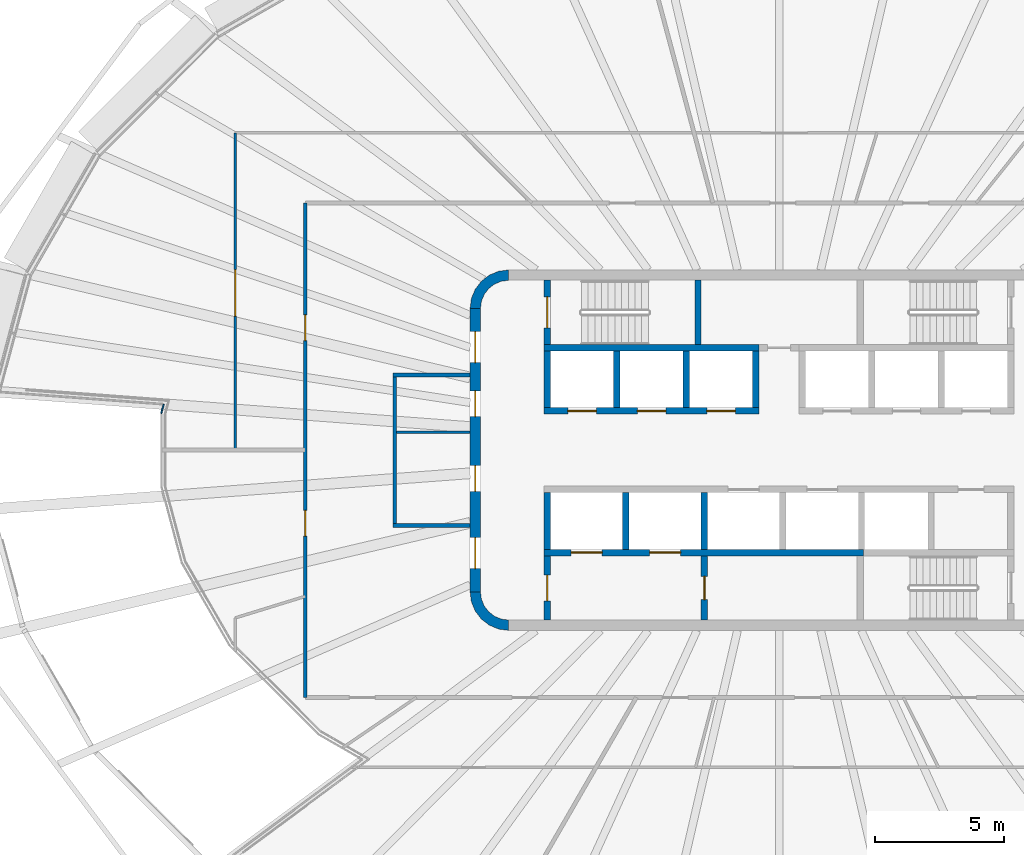
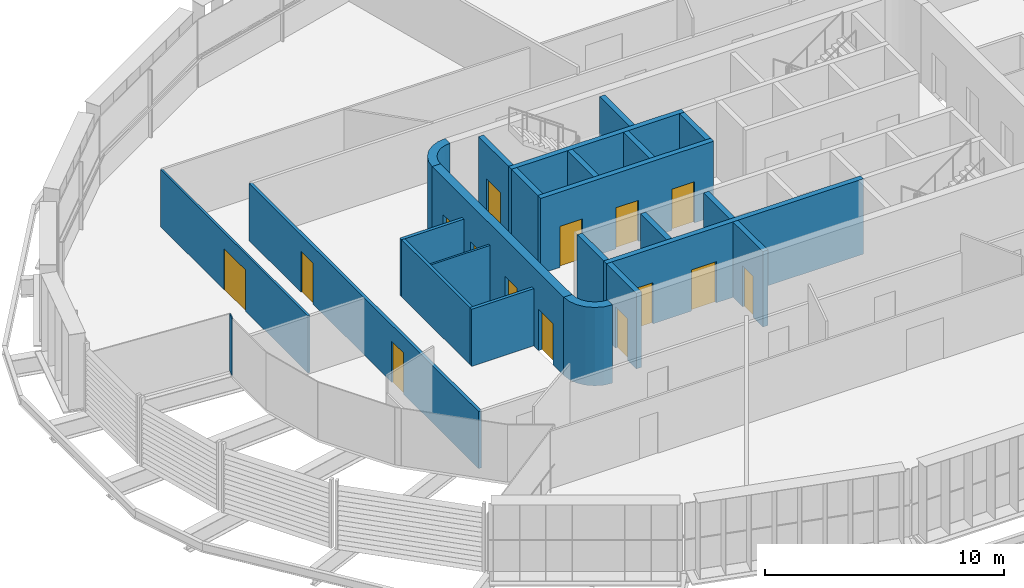
# One storey, part 10 of 19: 24 walls, 15 doors, 15 openings.
"""IFC4 building model written with IfcOpenShell, lengths in metres."""

import ifcopenshell
import ifcopenshell.guid

model = None  # the IFC model being written
_history = None  # IfcOwnerHistory: only IFC2X3 demands one
_inside = {}  # id of a spatial element -> (the spatial element, [elements in it])
_under = {}  # id of a project, library or spatial element -> (it, [spatial elements below it])
_declared = {}  # id of a project -> (the project, [libraries it declares])
_typed = {}  # id of a type object -> (the type object, [elements of that type])
_made_of = {}  # id of a material, layer set ... -> (it, [elements and type objects made of it])


def new_model(schema):
    """Start an empty IFC model of exactly this schema.

    Asked for "IFC4X3", IfcOpenShell would pick the latest addendum, in which some entities
    have other attributes; the version numbers below select the first issue.
    IFC2X3 requires an IfcOwnerHistory on every rooted entity: one is made here for all.
    """
    global model, _history
    if schema == "IFC4X3":
        model = ifcopenshell.file(schema_version=(4, 3, 0, 0))
    else:
        model = ifcopenshell.file(schema=schema)
    _inside.clear()
    _under.clear()
    _declared.clear()
    _typed.clear()
    _made_of.clear()
    _history = None
    if model.schema == "IFC2X3":
        org = make("IfcOrganization", Name="unknown")
        user = make(
            "IfcPersonAndOrganization",
            ThePerson=make("IfcPerson", FamilyName="unknown"),
            TheOrganization=org,
        )
        app = make(
            "IfcApplication",
            ApplicationDeveloper=org,
            Version="unknown",
            ApplicationFullName="unknown",
            ApplicationIdentifier="unknown",
        )
        _history = make(
            "IfcOwnerHistory",
            OwningUser=user,
            OwningApplication=app,
            ChangeAction="ADDED",
            CreationDate=0,
        )
    return model


def make(cls, **values):
    """One entity of the class cls with the attributes given. An attribute that is None is left unset."""
    return model.create_entity(
        cls, **{name: value for name, value in values.items() if value is not None}
    )


def rooted(cls, **values):
    """An entity with a GlobalId (a new one), such as an element, a storey or a relation."""
    return make(cls, GlobalId=ifcopenshell.guid.new(), OwnerHistory=_history, **values)


def si_unit(unit_type, name, prefix=None):
    """IfcSIUnit, for example si_unit("LENGTHUNIT", "METRE", prefix="MILLI")."""
    return make("IfcSIUnit", UnitType=unit_type, Prefix=prefix, Name=name)


def assignment(units):
    """IfcUnitAssignment: the units of a project."""
    return None if units is None else make("IfcUnitAssignment", Units=units)


def point(xyz):
    """IfcCartesianPoint."""
    return None if xyz is None else make("IfcCartesianPoint", Coordinates=xyz)


def direction(xyz):
    """IfcDirection."""
    return None if xyz is None else make("IfcDirection", DirectionRatios=xyz)


def frame(location, z_axis=None, x_axis=None):
    """IfcAxis2Placement3D, a coordinate frame: its origin and axes. An axis left out is left unset."""
    return make(
        "IfcAxis2Placement3D",
        Location=point(location),
        Axis=direction(z_axis),
        RefDirection=direction(x_axis),
    )


def frame_2d(location, x_axis=None):
    """IfcAxis2Placement2D, a coordinate frame in the plane: its origin and x axis."""
    return make(
        "IfcAxis2Placement2D", Location=point(location), RefDirection=direction(x_axis)
    )


def origin():
    """The frame at (0, 0, 0) with its axes left unset."""
    return frame((0.0, 0.0, 0.0))


def place(relative_to, where):
    """IfcLocalPlacement: puts the frame where relative to a parent placement (None: the world)."""
    return make(
        "IfcLocalPlacement", PlacementRelTo=relative_to, RelativePlacement=where
    )


def context(
    kind, dimensions, precision=None, world=None, true_north=None, identifier=None
):
    """IfcGeometricRepresentationContext, for example the 3D "Model" context."""
    return make(
        "IfcGeometricRepresentationContext",
        ContextIdentifier=identifier,
        ContextType=kind,
        CoordinateSpaceDimension=dimensions,
        Precision=precision,
        WorldCoordinateSystem=world,
        TrueNorth=true_north,
    )


def subcontext(parent, identifier, kind, view, scale=None):
    """IfcGeometricRepresentationSubContext, for example "Body" below "Model"."""
    return make(
        "IfcGeometricRepresentationSubContext",
        ContextIdentifier=identifier,
        ContextType=kind,
        ParentContext=parent,
        TargetScale=scale,
        TargetView=view,
    )


def project(units=None, contexts=None):
    """IfcProject with its units and contexts."""
    return rooted(
        "IfcProject",
        Name="project",
        RepresentationContexts=contexts,
        UnitsInContext=assignment(units),
    )


def spatial(cls, under=None, at=None, **own):
    """A site, building, storey or space (cls), placed at a placement, below another one or the project."""
    s = rooted(cls, ObjectPlacement=at, **own)
    if under is not None:
        _under.setdefault(under.id(), (under, []))[1].append(s)
    return s


def polyline(points):
    """IfcPolyline through the points."""
    return make("IfcPolyline", Points=[point(p) for p in points])


def profile(cls, at=None, kind="AREA", **sizes):
    """A parametric profile (cls). Its sizes go by their IFC names, for example OverallWidth=200.0."""
    return make(cls, ProfileType=kind, Position=at, **sizes)


def rectangle(**sizes):
    """IfcRectangleProfileDef."""
    return profile("IfcRectangleProfileDef", **sizes)


def outline(outer, holes=None, kind="AREA"):
    """IfcArbitraryClosedProfileDef: a profile drawn as a closed curve; with holes, ...WithVoids."""
    if holes is None:
        return make("IfcArbitraryClosedProfileDef", ProfileType=kind, OuterCurve=outer)
    return make(
        "IfcArbitraryProfileDefWithVoids",
        ProfileType=kind,
        OuterCurve=outer,
        InnerCurves=holes,
    )


def extrude(swept, where, along, depth):
    """IfcExtrudedAreaSolid: the profile swept, set in the frame where, extruded along a direction by depth."""
    return make(
        "IfcExtrudedAreaSolid",
        SweptArea=swept,
        Position=where,
        ExtrudedDirection=direction(along),
        Depth=depth,
    )


def shape(context_of_items, identifier, shape_type, items):
    """IfcShapeRepresentation: the items that make up one representation, for example the "Body"."""
    return make(
        "IfcShapeRepresentation",
        ContextOfItems=context_of_items,
        RepresentationIdentifier=identifier,
        RepresentationType=shape_type,
        Items=items,
    )


def material(Name=None, Category=None):
    """IfcMaterial."""
    return make("IfcMaterial", Name=Name, Category=Category)


def layer(
    of_material, thickness, ventilated=None, Name=None, Category=None, Priority=None
):
    """IfcMaterialLayer: one layer of a wall or slab, of a material (None: an air gap)."""
    return make(
        "IfcMaterialLayer",
        Material=of_material,
        LayerThickness=thickness,
        IsVentilated=ventilated,
        Name=Name,
        Category=Category,
        Priority=Priority,
    )


def layer_set(layers, Name=None):
    """IfcMaterialLayerSet."""
    return make("IfcMaterialLayerSet", MaterialLayers=layers, LayerSetName=Name)


def made_of(thing, what):
    """Note that an element or type object is made of a material, layer set ...; save() writes the relation."""
    if what is not None:
        _made_of.setdefault(what.id(), (what, []))[1].append(thing)
    return thing


def type_object(cls, material=None, **own):
    """A type object (cls), such as IfcWallType, which elements share."""
    return made_of(rooted(cls, **own), material)


def element(
    cls,
    number,
    at=None,
    inside=None,
    cuts=None,
    type_object=None,
    material=None,
    context=None,
    identifier="Body",
    shape_type=None,
    held_by="IfcProductDefinitionShape",
    body=None,
    shapes=None,
    **own,
):
    """One element of the class cls, such as IfcWall. Its Tag is "e" and its number.

    at: its placement. inside: the storey or other place that contains it. cuts: it is an
    opening in that element (IfcRelVoidsElement). A single representation is given by context,
    identifier, shape_type and body (its items); several are given by shapes. held_by: the class
    of the entity that holds the representations. save() writes the other relations.
    """
    e = rooted(cls, Tag="e%d" % number, ObjectPlacement=at, **own)
    if body is not None:
        shapes = [shape(context, identifier, shape_type, body)]
    if shapes is not None:
        e.Representation = make(held_by, Representations=shapes)
    if inside is not None:
        _inside.setdefault(inside.id(), (inside, []))[1].append(e)
    if cuts is not None:
        rooted(
            "IfcRelVoidsElement", RelatingBuildingElement=cuts, RelatedOpeningElement=e
        )
    if type_object is not None:
        _typed.setdefault(type_object.id(), (type_object, []))[1].append(e)
    return made_of(e, material)


def fill(opening, filler):
    """IfcRelFillsElement: the door or window that sits in an opening."""
    return rooted(
        "IfcRelFillsElement",
        RelatingOpeningElement=opening,
        RelatedBuildingElement=filler,
    )


def aggregate(whole, parts):
    """IfcRelAggregates: a whole, such as a stair, and the parts it consists of."""
    return rooted("IfcRelAggregates", RelatingObject=whole, RelatedObjects=parts)


def save(model, path):
    """Write the relations noted so far, then the file.

    IfcRelAggregates (storeys below a building ...), IfcRelContainedInSpatialStructure (elements
    in a storey), IfcRelDefinesByType, IfcRelAssociatesMaterial and IfcRelDeclares: one each for
    every whole, place, type object, material and project.
    """
    for whole, parts in _under.values():
        aggregate(whole, parts)
    for where, things in _inside.values():
        rooted(
            "IfcRelContainedInSpatialStructure",
            RelatedElements=things,
            RelatingStructure=where,
        )
    for kind, things in _typed.values():
        rooted("IfcRelDefinesByType", RelatedObjects=things, RelatingType=kind)
    for what, things in _made_of.values():
        rooted("IfcRelAssociatesMaterial", RelatedObjects=things, RelatingMaterial=what)
    for by, libraries in _declared.values():
        rooted("IfcRelDeclares", RelatingContext=by, RelatedDefinitions=libraries)
    model.write(path)


model = new_model("IFC4")

# Units and contexts
model_context = context("Model", 3, precision=1e-05, world=origin(), true_north=direction((0.0, 1.0)))
body_context = subcontext(model_context, "Body", "Model", "MODEL_VIEW")
ifc_project = project(units=[si_unit("LENGTHUNIT", "METRE"), si_unit("AREAUNIT", "SQUARE_METRE"), si_unit("VOLUMEUNIT", "CUBIC_METRE"), si_unit("PLANEANGLEUNIT", "RADIAN"), si_unit("MASSUNIT", "GRAM", prefix="KILO")], contexts=[model_context])

# Site, building, storey
site_placement = place(None, origin())
site = spatial("IfcSite", under=ifc_project, at=site_placement, CompositionType="ELEMENT")
building_placement = place(site_placement, origin())
building = spatial("IfcBuilding", under=site, at=building_placement, Name="Sahrelin Media Tower", CompositionType="ELEMENT")
storey_placement = place(building_placement, frame((0.0, 0.0, 229.60009765625)))
storey = spatial("IfcBuildingStorey", under=building, at=storey_placement, Name="L49", CompositionType="ELEMENT", Elevation=229.60009765625)

# Wall, openings, doors
ifc_material_1 = material(Name="Concrete C60/75", Category="concrete")
ifc_layer_1 = layer(ifc_material_1, 0.39990234375)
ifc_layer_set_1 = layer_set([ifc_layer_1], Name="Core wall 400")
wall_type_1 = type_object("IfcWallType", Name="Core wall 400", PredefinedType="SHEAR", material=ifc_layer_set_1)
wall_1_placement = place(storey_placement, frame((-11.800048828125, -5.5, 0.0), z_axis=(0.0, 0.0, 1.0), x_axis=(0.0, 1.0, 0.0)))
wall_1 = element("IfcWall", 1, at=wall_1_placement, inside=storey, type_object=wall_type_1, Name="Core wall W L49", PredefinedType="SHEAR", context=body_context, shape_type="SweptSolid", body=[
    extrude(rectangle(XDim=11.0, YDim=0.39990234375, at=frame_2d((5.5, 0.0))), origin(), (0.0, 0.0, 1.0), 4.0),
])
opening_1_placement = place(wall_1_placement, frame((3.89990234375, 0.0, 0.0)))
opening_1 = element("IfcOpeningElement", 2, at=opening_1_placement, cuts=wall_1, Name="Opening L49-D08", PredefinedType="OPENING", context=body_context, shape_type="SweptSolid", body=[
    extrude(rectangle(XDim=1.0, YDim=2.10009765625, at=frame_2d((0.5, 1.050048828125))), frame((0.0, 0.199951171875, 0.0), z_axis=(0.0, -1.0, 0.0), x_axis=(1.0, 0.0, 0.0)), (0.0, 0.0, 1.0), 0.39990234375),
])
opening_2_placement = place(wall_1_placement, frame((6.800048828125, 0.0, 0.0)))
opening_2 = element("IfcOpeningElement", 3, at=opening_2_placement, cuts=wall_1, Name="Opening L49-D09", PredefinedType="OPENING", context=body_context, shape_type="SweptSolid", body=[
    extrude(rectangle(XDim=1.0, YDim=2.10009765625, at=frame_2d((0.5, 1.050048828125))), frame((0.0, 0.199951171875, 0.0), z_axis=(0.0, -1.0, 0.0), x_axis=(1.0, 0.0, 0.0)), (0.0, 0.0, 1.0), 0.39990234375),
])
opening_3_placement = place(wall_1_placement, frame((0.89990234375, 0.0, 0.0)))
opening_3 = element("IfcOpeningElement", 4, at=opening_3_placement, cuts=wall_1, Name="Opening L49-D12", PredefinedType="OPENING", context=body_context, shape_type="SweptSolid", body=[
    extrude(rectangle(XDim=1.199951171875, YDim=2.10009765625, at=frame_2d((0.60009765625, 1.050048828125))), frame((0.0, 0.199951171875, 0.0), z_axis=(0.0, -1.0, 0.0), x_axis=(1.0, 0.0, 0.0)), (0.0, 0.0, 1.0), 0.39990234375),
])
opening_4_placement = place(wall_1_placement, frame((8.89990234375, 0.0, 0.0)))
opening_4 = element("IfcOpeningElement", 5, at=opening_4_placement, cuts=wall_1, Name="Opening L49-D13", PredefinedType="OPENING", context=body_context, shape_type="SweptSolid", body=[
    extrude(rectangle(XDim=1.199951171875, YDim=2.10009765625, at=frame_2d((0.60009765625, 1.050048828125))), frame((0.0, 0.199951171875, 0.0), z_axis=(0.0, -1.0, 0.0), x_axis=(1.0, 0.0, 0.0)), (0.0, 0.0, 1.0), 0.39990234375),
])
ifc_material_2 = material(Name="Steel fire door leaf", Category="steel")
door_type_1 = type_object("IfcDoorType", Name="Fire door 1000 x 2100 EI 60", OperationType="NOTDEFINED", PredefinedType="DOOR", material=ifc_material_2)
door_1_placement = place(opening_1_placement, origin())
door_1 = element("IfcDoor", 6, at=door_1_placement, inside=storey, type_object=door_type_1, Name="Core room door", OperationType="SINGLE_SWING_RIGHT", OverallHeight=2.10009765625, OverallWidth=1.0, PredefinedType="DOOR", context=body_context, shape_type="SweptSolid", body=[
    extrude(rectangle(XDim=1.0, YDim=2.10009765625, at=frame_2d((0.5, 1.050048828125))), frame((0.0, 0.02490234375, 0.0), z_axis=(0.0, -1.0, 0.0), x_axis=(1.0, 0.0, 0.0)), (0.0, 0.0, 1.0), 0.050048828125),
])
fill(opening_1, door_1)
door_2_placement = place(opening_2_placement, origin())
door_2 = element("IfcDoor", 7, at=door_2_placement, inside=storey, type_object=door_type_1, Name="Core room door", OperationType="SINGLE_SWING_RIGHT", OverallHeight=2.10009765625, OverallWidth=1.0, PredefinedType="DOOR", context=body_context, shape_type="SweptSolid", body=[
    extrude(rectangle(XDim=1.0, YDim=2.10009765625, at=frame_2d((0.5, 1.050048828125))), frame((0.0, 0.02490234375, 0.0), z_axis=(0.0, -1.0, 0.0), x_axis=(1.0, 0.0, 0.0)), (0.0, 0.0, 1.0), 0.050048828125),
])
fill(opening_2, door_2)
door_type_2 = type_object("IfcDoorType", Name="Lobby door 1200 x 2100 EI 60", OperationType="NOTDEFINED", PredefinedType="DOOR", material=ifc_material_2)
door_3_placement = place(opening_3_placement, origin())
door_3 = element("IfcDoor", 8, at=door_3_placement, inside=storey, type_object=door_type_2, Name="Lobby door", OperationType="SINGLE_SWING_LEFT", OverallHeight=2.10009765625, OverallWidth=1.199951171875, PredefinedType="DOOR", context=body_context, shape_type="SweptSolid", body=[
    extrude(rectangle(XDim=1.199951171875, YDim=2.10009765625, at=frame_2d((0.60009765625, 1.050048828125))), frame((0.0, 0.02490234375, 0.0), z_axis=(0.0, -1.0, 0.0), x_axis=(1.0, 0.0, 0.0)), (0.0, 0.0, 1.0), 0.050048828125),
])
fill(opening_3, door_3)
door_4_placement = place(opening_4_placement, origin())
door_4 = element("IfcDoor", 9, at=door_4_placement, inside=storey, type_object=door_type_2, Name="Lobby door", OperationType="SINGLE_SWING_LEFT", OverallHeight=2.10009765625, OverallWidth=1.199951171875, PredefinedType="DOOR", context=body_context, shape_type="SweptSolid", body=[
    extrude(rectangle(XDim=1.199951171875, YDim=2.10009765625, at=frame_2d((0.60009765625, 1.050048828125))), frame((0.0, 0.02490234375, 0.0), z_axis=(0.0, -1.0, 0.0), x_axis=(1.0, 0.0, 0.0)), (0.0, 0.0, 1.0), 0.050048828125),
])
fill(opening_4, door_4)

# Walls
placement = place(storey_placement, origin())
element("IfcWall", 10, at=placement, inside=storey, type_object=wall_type_1, Name="Core wall corner NW L49", PredefinedType="SHEAR", context=body_context, shape_type="SweptSolid", body=[
    extrude(outline(polyline([(-12.0, 5.5), (-11.596435546875, 5.5), (-11.55908203125, 5.78369140625), (-11.44970703125, 6.04833984375), (-11.275390625, 6.275390625), (-11.04833984375, 6.44970703125), (-10.78369140625, 6.55908203125), (-10.5, 6.596435546875), (-10.5, 7.0), (-10.88818359375, 6.948974609375), (-11.25, 6.799072265625), (-11.560791015625, 6.560791015625), (-11.799072265625, 6.25), (-11.948974609375, 5.88818359375), (-12.0, 5.5)])), origin(), (0.0, 0.0, 1.0), 4.0),
])
element("IfcWall", 11, at=placement, inside=storey, type_object=wall_type_1, Name="Core wall corner SW L49", PredefinedType="SHEAR", context=body_context, shape_type="SweptSolid", body=[
    extrude(outline(polyline([(-10.5, -7.0), (-10.5, -6.596435546875), (-10.78369140625, -6.55908203125), (-11.04833984375, -6.44970703125), (-11.275390625, -6.275390625), (-11.44970703125, -6.04833984375), (-11.55908203125, -5.78369140625), (-11.596435546875, -5.5), (-12.0, -5.5), (-11.948974609375, -5.88818359375), (-11.799072265625, -6.25), (-11.560791015625, -6.560791015625), (-11.25, -6.799072265625), (-10.88818359375, -6.948974609375), (-10.5, -7.0)])), origin(), (0.0, 0.0, 1.0), 4.0),
])
ifc_material_3 = material(Name="Fire-rated gypsum board partition")
ifc_layer_2 = layer(ifc_material_3, 0.10009765625)
ifc_layer_set_2 = layer_set([ifc_layer_2], Name="Fire-rated partition 100")
wall_type_2 = type_object("IfcWallType", Name="Fire-rated partition 100", PredefinedType="PARTITIONING", material=ifc_layer_set_2)
wall_4_placement = place(storey_placement, frame((-14.85009765625, 0.699951171875, 0.0), z_axis=(0.0, 0.0, 1.0), x_axis=(1.0, 0.0, 0.0)))
element("IfcWall", 12, at=wall_4_placement, inside=storey, type_object=wall_type_2, Name="Core room partition", PredefinedType="PARTITIONING", context=body_context, shape_type="SweptSolid", body=[
    extrude(rectangle(XDim=2.85009765625, YDim=0.10009765625, at=frame_2d((1.425048828125, 0.0))), origin(), (0.0, 0.0, 1.0), 2.918212890625),
])
ifc_layer_3 = layer(ifc_material_3, 0.14990234375)
ifc_layer_set_3 = layer_set([ifc_layer_3], Name="Fire-rated partition 150")
wall_type_3 = type_object("IfcWallType", Name="Fire-rated partition 150", PredefinedType="PARTITIONING", material=ifc_layer_set_3)
wall_5_placement = place(storey_placement, frame((-14.925048828125, -2.85009765625, 0.0), z_axis=(0.0, 0.0, 1.0), x_axis=(0.0, 1.0, 0.0)))
element("IfcWall", 13, at=wall_5_placement, inside=storey, type_object=wall_type_3, Name="Core room fire partition", PredefinedType="PARTITIONING", context=body_context, shape_type="SweptSolid", body=[
    extrude(rectangle(XDim=5.7001953125, YDim=0.14990234375, at=frame_2d((2.85009765625, 0.0))), origin(), (0.0, 0.0, 1.0), 2.918212890625),
])
for number, where, z_axis, x_axis, name in (
    (14, (-15.0, 2.925048828125, 0.0), (0.0, 0.0, 1.0), (1.0, 0.0, 0.0), "Core room fire partition"),
    (15, (-15.0, -2.925048828125, 0.0), (0.0, 0.0, 1.0), (1.0, 0.0, 0.0), "Core room fire partition"),
):
    element("IfcWall", number, at=place(storey_placement, frame(where, z_axis=z_axis, x_axis=x_axis)), inside=storey, type_object=wall_type_3, Name=name, PredefinedType="PARTITIONING", context=body_context, shape_type="SweptSolid", body=[
        extrude(rectangle(XDim=3.0, YDim=0.14990234375, at=frame_2d((1.5, 0.0))), origin(), (0.0, 0.0, 1.0), 2.918212890625),
    ])

# Wall, openings, doors
wall_6_placement = place(storey_placement, frame((-18.39990234375, -9.60009765625, 0.0), z_axis=(0.0, 0.0, 1.0), x_axis=(0.0, 1.0, 0.0)))
wall_6 = element("IfcWall", 16, at=wall_6_placement, inside=storey, type_object=wall_type_3, Name="Wall", PredefinedType="PARTITIONING", context=body_context, shape_type="SweptSolid", body=[
    extrude(rectangle(XDim=19.2001953125, YDim=0.14990234375, at=frame_2d((9.60009765625, 0.0))), origin(), (0.0, 0.0, 1.0), 2.918212890625),
])
opening_5_placement = place(wall_6_placement, frame((13.849365234375, 0.0, 0.0)))
opening_5 = element("IfcOpeningElement", 17, at=opening_5_placement, cuts=wall_6, Name="Opening L49-D28", PredefinedType="OPENING", context=body_context, shape_type="SweptSolid", body=[
    extrude(rectangle(XDim=1.0, YDim=2.10009765625, at=frame_2d((0.5, 1.050048828125))), frame((0.0, 0.074951171875, 0.0), z_axis=(0.0, -1.0, 0.0), x_axis=(1.0, 0.0, 0.0)), (0.0, 0.0, 1.0), 0.14990234375),
])
opening_6_placement = place(wall_6_placement, frame((6.261962890625, 0.0, 0.0)))
opening_6 = element("IfcOpeningElement", 18, at=opening_6_placement, cuts=wall_6, Name="Opening L49-D30", PredefinedType="OPENING", context=body_context, shape_type="SweptSolid", body=[
    extrude(rectangle(XDim=1.0, YDim=2.10009765625, at=frame_2d((0.5, 1.050048828125))), frame((0.0, 0.074951171875, 0.0), z_axis=(0.0, -1.0, 0.0), x_axis=(1.0, 0.0, 0.0)), (0.0, 0.0, 1.0), 0.14990234375),
])
door_5_placement = place(opening_5_placement, origin())
door_5 = element("IfcDoor", 19, at=door_5_placement, inside=storey, type_object=door_type_1, Name="Fire door", OperationType="SINGLE_SWING_RIGHT", OverallHeight=2.10009765625, OverallWidth=1.0, PredefinedType="DOOR", context=body_context, shape_type="SweptSolid", body=[
    extrude(rectangle(XDim=1.0, YDim=2.10009765625, at=frame_2d((0.5, 1.050048828125))), frame((0.0, 0.02490234375, 0.0), z_axis=(0.0, -1.0, 0.0), x_axis=(1.0, 0.0, 0.0)), (0.0, 0.0, 1.0), 0.050048828125),
])
fill(opening_5, door_5)
door_6_placement = place(opening_6_placement, origin())
door_6 = element("IfcDoor", 20, at=door_6_placement, inside=storey, type_object=door_type_1, Name="Fire door", OperationType="SINGLE_SWING_LEFT", OverallHeight=2.10009765625, OverallWidth=1.0, PredefinedType="DOOR", context=body_context, shape_type="SweptSolid", body=[
    extrude(rectangle(XDim=1.0, YDim=2.10009765625, at=frame_2d((0.5, 1.050048828125))), frame((0.0, 0.02490234375, 0.0), z_axis=(0.0, -1.0, 0.0), x_axis=(1.0, 0.0, 0.0)), (0.0, 0.0, 1.0), 0.050048828125),
])
fill(opening_6, door_6)

# Wall, opening, door
ifc_layer_4 = layer(ifc_material_3, 0.25)
ifc_layer_set_4 = layer_set([ifc_layer_4], Name="Firefighting lobby wall 250")
wall_type_4 = type_object("IfcWallType", Name="Firefighting lobby wall 250", PredefinedType="PARTITIONING", material=ifc_layer_set_4)
wall_7_placement = place(storey_placement, frame((-9.0, -6.60009765625, 0.0), z_axis=(0.0, 0.0, 1.0), x_axis=(0.0, 1.0, 0.0)))
wall_7 = element("IfcWall", 21, at=wall_7_placement, inside=storey, type_object=wall_type_4, Name="Core wall", PredefinedType="PARTITIONING", context=body_context, shape_type="SweptSolid", body=[
    extrude(rectangle(XDim=2.5, YDim=0.25, at=frame_2d((1.25, 0.0))), origin(), (0.0, 0.0, 1.0), 3.849853515625),
])
opening_7_placement = place(wall_7_placement, frame((0.75, 0.0, 0.0)))
opening_7 = element("IfcOpeningElement", 22, at=opening_7_placement, cuts=wall_7, Name="Opening L49-D04", PredefinedType="OPENING", context=body_context, shape_type="SweptSolid", body=[
    extrude(rectangle(XDim=1.0, YDim=2.10009765625, at=frame_2d((0.5, 1.050048828125))), frame((0.0, 0.125, 0.0), z_axis=(0.0, -1.0, 0.0), x_axis=(1.0, 0.0, 0.0)), (0.0, 0.0, 1.0), 0.25),
])
door_type_3 = type_object("IfcDoorType", Name="Firefighting lobby door 1000 x 2100 EI 120", OperationType="NOTDEFINED", PredefinedType="DOOR", material=ifc_material_2)
door_7_placement = place(opening_7_placement, origin())
door_7 = element("IfcDoor", 23, at=door_7_placement, inside=storey, type_object=door_type_3, Name="Firefighting lobby door", OperationType="SINGLE_SWING_LEFT", OverallHeight=2.10009765625, OverallWidth=1.0, PredefinedType="DOOR", context=body_context, shape_type="SweptSolid", body=[
    extrude(rectangle(XDim=1.0, YDim=2.10009765625, at=frame_2d((0.5, 1.050048828125))), frame((0.0, 0.02490234375, 0.0), z_axis=(0.0, -1.0, 0.0), x_axis=(1.0, 0.0, 0.0)), (0.0, 0.0, 1.0), 0.050048828125),
])
fill(opening_7, door_7)

wall_8_placement = place(storey_placement, frame((-2.89990234375, -6.60009765625, 0.0), z_axis=(0.0, 0.0, 1.0), x_axis=(0.0, 1.0, 0.0)))
wall_8 = element("IfcWall", 24, at=wall_8_placement, inside=storey, type_object=wall_type_4, Name="Core wall", PredefinedType="PARTITIONING", context=body_context, shape_type="SweptSolid", body=[
    extrude(rectangle(XDim=2.5, YDim=0.25, at=frame_2d((1.25, 0.0))), origin(), (0.0, 0.0, 1.0), 3.849853515625),
])
opening_8_placement = place(wall_8_placement, frame((0.800048828125, 0.0, 0.0)))
opening_8 = element("IfcOpeningElement", 25, at=opening_8_placement, cuts=wall_8, Name="Opening L49-D05", PredefinedType="OPENING", context=body_context, shape_type="SweptSolid", body=[
    extrude(rectangle(XDim=0.89990234375, YDim=2.10009765625, at=frame_2d((0.449951171875, 1.050048828125))), frame((0.0, 0.125, 0.0), z_axis=(0.0, -1.0, 0.0), x_axis=(1.0, 0.0, 0.0)), (0.0, 0.0, 1.0), 0.25),
])
door_type_4 = type_object("IfcDoorType", Name="Firefighting lobby door 900 x 2100 EI 120", OperationType="NOTDEFINED", PredefinedType="DOOR", material=ifc_material_2)
door_8_placement = place(opening_8_placement, origin())
door_8 = element("IfcDoor", 26, at=door_8_placement, inside=storey, type_object=door_type_4, Name="Riser door", OperationType="SINGLE_SWING_RIGHT", OverallHeight=2.10009765625, OverallWidth=0.89990234375, PredefinedType="DOOR", context=body_context, shape_type="SweptSolid", body=[
    extrude(rectangle(XDim=0.89990234375, YDim=2.10009765625, at=frame_2d((0.449951171875, 1.050048828125))), frame((0.0, 0.02490234375, 0.0), z_axis=(0.0, -1.0, 0.0), x_axis=(1.0, 0.0, 0.0)), (0.0, 0.0, 1.0), 0.050048828125),
])
fill(opening_8, door_8)

# Wall
ifc_material_4 = material(Name="Clear glass", Category="glass")
ifc_layer_5 = layer(ifc_material_4, 0.050048828125)
ifc_layer_set_5 = layer_set([ifc_layer_5], Name="Glazed partition 50")
wall_type_5 = type_object("IfcWallType", Name="Glazed partition 50", PredefinedType="PARTITIONING", material=ifc_layer_set_5)
wall_9_placement = place(storey_placement, frame((-23.993896484375, 1.422119140625, 0.0), z_axis=(0.0, 0.0, 1.0), x_axis=(0.258107743548, 0.966116138319, 0.0)))
element("IfcWall", 27, at=wall_9_placement, inside=storey, type_object=wall_type_5, Name="Wall", PredefinedType="PARTITIONING", context=body_context, shape_type="SweptSolid", body=[
    extrude(rectangle(XDim=0.37548828125, YDim=0.050048828125, at=frame_2d((0.187744140625, 0.0))), origin(), (0.0, 0.0, 1.0), 2.918212890625),
])

# Wall, openings, doors
ifc_layer_6 = layer(ifc_material_1, 0.25)
ifc_layer_set_6 = layer_set([ifc_layer_6], Name="Lift shaft wall 250")
wall_type_6 = type_object("IfcWallType", Name="Lift shaft wall 250", PredefinedType="SOLIDWALL", material=ifc_layer_set_6)
wall_10_placement = place(storey_placement, frame((-9.125, 1.52490234375, 0.0), z_axis=(0.0, 0.0, 1.0), x_axis=(1.0, 0.0, 0.0)))
wall_10 = element("IfcWall", 28, at=wall_10_placement, inside=storey, type_object=wall_type_6, Name="Lift shaft wall", PredefinedType="SOLIDWALL", context=body_context, shape_type="SweptSolid", body=[
    extrude(rectangle(XDim=8.35009765625, YDim=0.25, at=frame_2d((4.175048828125, 0.0))), origin(), (0.0, 0.0, 1.0), 3.849853515625),
])
opening_9_placement = place(wall_10_placement, frame((0.925048828125, 0.0, 0.0)))
opening_9 = element("IfcOpeningElement", 29, at=opening_9_placement, cuts=wall_10, Name="Opening L49-LD-HR1", PredefinedType="OPENING", context=body_context, shape_type="SweptSolid", body=[
    extrude(rectangle(XDim=1.10009765625, YDim=2.10009765625, at=frame_2d((0.550048828125, 1.050048828125))), frame((0.0, 0.125, 0.0), z_axis=(0.0, -1.0, 0.0), x_axis=(1.0, 0.0, 0.0)), (0.0, 0.0, 1.0), 0.25),
])
opening_10_placement = place(wall_10_placement, frame((3.625, 0.0, 0.0)))
opening_10 = element("IfcOpeningElement", 30, at=opening_10_placement, cuts=wall_10, Name="Opening L49-LD-HR2", PredefinedType="OPENING", context=body_context, shape_type="SweptSolid", body=[
    extrude(rectangle(XDim=1.10009765625, YDim=2.10009765625, at=frame_2d((0.550048828125, 1.050048828125))), frame((0.0, 0.125, 0.0), z_axis=(0.0, -1.0, 0.0), x_axis=(1.0, 0.0, 0.0)), (0.0, 0.0, 1.0), 0.25),
])
opening_11_placement = place(wall_10_placement, frame((6.324951171875, 0.0, 0.0)))
opening_11 = element("IfcOpeningElement", 31, at=opening_11_placement, cuts=wall_10, Name="Opening L49-LD-HR3", PredefinedType="OPENING", context=body_context, shape_type="SweptSolid", body=[
    extrude(rectangle(XDim=1.10009765625, YDim=2.10009765625, at=frame_2d((0.550048828125, 1.050048828125))), frame((0.0, 0.125, 0.0), z_axis=(0.0, -1.0, 0.0), x_axis=(1.0, 0.0, 0.0)), (0.0, 0.0, 1.0), 0.25),
])
ifc_material_5 = material(Name="Stainless steel", Category="steel")
door_type_5 = type_object("IfcDoorType", Name="Lift landing door 1100 x 2100 EI 120", OperationType="DOUBLE_DOOR_SLIDING", PredefinedType="DOOR", material=ifc_material_5)
door_9_placement = place(opening_9_placement, origin())
door_9 = element("IfcDoor", 32, at=door_9_placement, inside=storey, type_object=door_type_5, Name="Lift landing door HR1", OperationType="DOUBLE_DOOR_SLIDING", OverallHeight=2.10009765625, OverallWidth=1.10009765625, PredefinedType="DOOR", context=body_context, shape_type="SweptSolid", body=[
    extrude(rectangle(XDim=1.10009765625, YDim=2.10009765625, at=frame_2d((0.550048828125, 1.050048828125))), frame((0.0, 0.02490234375, 0.0), z_axis=(0.0, -1.0, 0.0), x_axis=(1.0, 0.0, 0.0)), (0.0, 0.0, 1.0), 0.050048828125),
])
fill(opening_9, door_9)
door_10_placement = place(opening_10_placement, origin())
door_10 = element("IfcDoor", 33, at=door_10_placement, inside=storey, type_object=door_type_5, Name="Lift landing door HR2", OperationType="DOUBLE_DOOR_SLIDING", OverallHeight=2.10009765625, OverallWidth=1.10009765625, PredefinedType="DOOR", context=body_context, shape_type="SweptSolid", body=[
    extrude(rectangle(XDim=1.10009765625, YDim=2.10009765625, at=frame_2d((0.550048828125, 1.050048828125))), frame((0.0, 0.02490234375, 0.0), z_axis=(0.0, -1.0, 0.0), x_axis=(1.0, 0.0, 0.0)), (0.0, 0.0, 1.0), 0.050048828125),
])
fill(opening_10, door_10)
door_11_placement = place(opening_11_placement, origin())
door_11 = element("IfcDoor", 34, at=door_11_placement, inside=storey, type_object=door_type_5, Name="Lift landing door HR3", OperationType="DOUBLE_DOOR_SLIDING", OverallHeight=2.10009765625, OverallWidth=1.10009765625, PredefinedType="DOOR", context=body_context, shape_type="SweptSolid", body=[
    extrude(rectangle(XDim=1.10009765625, YDim=2.10009765625, at=frame_2d((0.550048828125, 1.050048828125))), frame((0.0, 0.02490234375, 0.0), z_axis=(0.0, -1.0, 0.0), x_axis=(1.0, 0.0, 0.0)), (0.0, 0.0, 1.0), 0.050048828125),
])
fill(opening_11, door_11)

# Walls
wall_11_placement = place(storey_placement, frame((-9.125, 3.97509765625, 0.0), z_axis=(0.0, 0.0, 1.0), x_axis=(1.0, 0.0, 0.0)))
element("IfcWall", 35, at=wall_11_placement, inside=storey, type_object=wall_type_6, Name="Lift shaft wall", PredefinedType="SOLIDWALL", context=body_context, shape_type="SweptSolid", body=[
    extrude(rectangle(XDim=8.35009765625, YDim=0.25, at=frame_2d((4.175048828125, 0.0))), origin(), (0.0, 0.0, 1.0), 3.849853515625),
])
for number, where, z_axis, x_axis, name in (
    (36, (-9.0, 1.64990234375, 0.0), (0.0, 0.0, 1.0), (0.0, 1.0, 0.0), "Lift shaft wall"),
    (37, (-6.300048828125, 1.64990234375, 0.0), (0.0, 0.0, 1.0), (0.0, 1.0, 0.0), "Lift shaft wall"),
    (38, (-3.60009765625, 1.64990234375, 0.0), (0.0, 0.0, 1.0), (0.0, 1.0, 0.0), "Lift shaft wall"),
    (39, (-0.89990234375, 1.64990234375, 0.0), (0.0, 0.0, 1.0), (0.0, 1.0, 0.0), "Lift shaft wall"),
):
    element("IfcWall", number, at=place(storey_placement, frame(where, z_axis=z_axis, x_axis=x_axis)), inside=storey, type_object=wall_type_6, Name=name, PredefinedType="SOLIDWALL", context=body_context, shape_type="SweptSolid", body=[
        extrude(rectangle(XDim=2.2001953125, YDim=0.25, at=frame_2d((1.10009765625, 0.0))), origin(), (0.0, 0.0, 1.0), 3.849853515625),
    ])

# Wall, openings, doors
wall_12_placement = place(storey_placement, frame((-9.125, -3.97509765625, 0.0), z_axis=(0.0, 0.0, 1.0), x_axis=(1.0, 0.0, 0.0)))
wall_12 = element("IfcWall", 40, at=wall_12_placement, inside=storey, type_object=wall_type_6, Name="Lift shaft wall", PredefinedType="SOLIDWALL", context=body_context, shape_type="SweptSolid", body=[
    extrude(rectangle(XDim=12.39990234375, YDim=0.25, at=frame_2d((6.199951171875, 0.0))), origin(), (0.0, 0.0, 1.0), 3.849853515625),
])
opening_12_placement = place(wall_12_placement, frame((1.050048828125, 0.0, 0.0)))
opening_12 = element("IfcOpeningElement", 41, at=opening_12_placement, cuts=wall_12, Name="Opening L49-LD-FF1", PredefinedType="OPENING", context=body_context, shape_type="SweptSolid", body=[
    extrude(rectangle(XDim=1.199951171875, YDim=2.10009765625, at=frame_2d((0.60009765625, 1.050048828125))), frame((0.0, 0.125, 0.0), z_axis=(0.0, -1.0, 0.0), x_axis=(1.0, 0.0, 0.0)), (0.0, 0.0, 1.0), 0.25),
])
opening_13_placement = place(wall_12_placement, frame((4.10009765625, 0.0, 0.0)))
opening_13 = element("IfcOpeningElement", 42, at=opening_13_placement, cuts=wall_12, Name="Opening L49-LD-FF2", PredefinedType="OPENING", context=body_context, shape_type="SweptSolid", body=[
    extrude(rectangle(XDim=1.199951171875, YDim=2.10009765625, at=frame_2d((0.60009765625, 1.050048828125))), frame((0.0, 0.125, 0.0), z_axis=(0.0, -1.0, 0.0), x_axis=(1.0, 0.0, 0.0)), (0.0, 0.0, 1.0), 0.25),
])
door_type_6 = type_object("IfcDoorType", Name="Lift landing door 1200 x 2100 EI 120", OperationType="DOUBLE_DOOR_SLIDING", PredefinedType="DOOR", material=ifc_material_5)
door_12_placement = place(opening_12_placement, origin())
door_12 = element("IfcDoor", 43, at=door_12_placement, inside=storey, type_object=door_type_6, Name="Lift landing door FF1", OperationType="DOUBLE_DOOR_SLIDING", OverallHeight=2.10009765625, OverallWidth=1.199951171875, PredefinedType="DOOR", context=body_context, shape_type="SweptSolid", body=[
    extrude(rectangle(XDim=1.199951171875, YDim=2.10009765625, at=frame_2d((0.60009765625, 1.050048828125))), frame((0.0, 0.02490234375, 0.0), z_axis=(0.0, -1.0, 0.0), x_axis=(1.0, 0.0, 0.0)), (0.0, 0.0, 1.0), 0.050048828125),
])
fill(opening_12, door_12)
door_13_placement = place(opening_13_placement, origin())
door_13 = element("IfcDoor", 44, at=door_13_placement, inside=storey, type_object=door_type_6, Name="Lift landing door FF2", OperationType="DOUBLE_DOOR_SLIDING", OverallHeight=2.10009765625, OverallWidth=1.199951171875, PredefinedType="DOOR", context=body_context, shape_type="SweptSolid", body=[
    extrude(rectangle(XDim=1.199951171875, YDim=2.10009765625, at=frame_2d((0.60009765625, 1.050048828125))), frame((0.0, 0.02490234375, 0.0), z_axis=(0.0, -1.0, 0.0), x_axis=(1.0, 0.0, 0.0)), (0.0, 0.0, 1.0), 0.050048828125),
])
fill(opening_13, door_13)

# Walls
for number, where, z_axis, x_axis, name in (
    (45, (-9.0, -3.85009765625, 0.0), (0.0, 0.0, 1.0), (0.0, 1.0, 0.0), "Lift shaft wall"),
    (46, (-5.949951171875, -3.85009765625, 0.0), (0.0, 0.0, 1.0), (0.0, 1.0, 0.0), "Lift shaft wall"),
    (47, (-2.89990234375, -3.85009765625, 0.0), (0.0, 0.0, 1.0), (0.0, 1.0, 0.0), "Lift shaft wall"),
):
    element("IfcWall", number, at=place(storey_placement, frame(where, z_axis=z_axis, x_axis=x_axis)), inside=storey, type_object=wall_type_6, Name=name, PredefinedType="SOLIDWALL", context=body_context, shape_type="SweptSolid", body=[
        extrude(rectangle(XDim=2.2001953125, YDim=0.25, at=frame_2d((1.10009765625, 0.0))), origin(), (0.0, 0.0, 1.0), 3.849853515625),
    ])

# Wall, opening, door
ifc_material_6 = material(Name="Gypsum board partition")
ifc_layer_7 = layer(ifc_material_6, 0.10009765625)
ifc_layer_set_7 = layer_set([ifc_layer_7], Name="Partition 100")
wall_type_7 = type_object("IfcWallType", Name="Partition 100", PredefinedType="PARTITIONING", material=ifc_layer_set_7)
wall_13_placement = place(storey_placement, frame((-21.1201171875, 0.0, 0.0), z_axis=(0.0, 0.0, 1.0), x_axis=(0.0, 1.0, 0.0)))
wall_13 = element("IfcWall", 48, at=wall_13_placement, inside=storey, type_object=wall_type_7, Name="Wall", PredefinedType="PARTITIONING", context=body_context, shape_type="SweptSolid", body=[
    extrude(rectangle(XDim=12.320068359375, YDim=0.10009765625, at=frame_2d((6.16015625, 0.0))), origin(), (0.0, 0.0, 1.0), 2.918212890625),
])
opening_14_placement = place(wall_13_placement, frame((5.2099609375, 0.0, 0.0)))
opening_14 = element("IfcOpeningElement", 49, at=opening_14_placement, cuts=wall_13, Name="Opening L49-D29", PredefinedType="OPENING", context=body_context, shape_type="SweptSolid", body=[
    extrude(rectangle(XDim=1.800048828125, YDim=2.10009765625, at=frame_2d((0.89990234375, 1.050048828125))), frame((0.0, 0.050048828125, 0.0), z_axis=(0.0, -1.0, 0.0), x_axis=(1.0, 0.0, 0.0)), (0.0, 0.0, 1.0), 0.10009765625),
])
ifc_material_7 = material(Name="Timber door leaf", Category="wood")
door_type_7 = type_object("IfcDoorType", Name="Double door 1800 x 2100", OperationType="DOUBLE_DOOR_SINGLE_SWING", PredefinedType="DOOR", material=ifc_material_7)
door_14_placement = place(opening_14_placement, origin())
door_14 = element("IfcDoor", 50, at=door_14_placement, inside=storey, type_object=door_type_7, Name="Double door", OperationType="DOUBLE_DOOR_SINGLE_SWING", OverallHeight=2.10009765625, OverallWidth=1.800048828125, PredefinedType="DOOR", context=body_context, shape_type="SweptSolid", body=[
    extrude(rectangle(XDim=1.800048828125, YDim=2.10009765625, at=frame_2d((0.89990234375, 1.050048828125))), frame((0.0, 0.02490234375, 0.0), z_axis=(0.0, -1.0, 0.0), x_axis=(1.0, 0.0, 0.0)), (0.0, 0.0, 1.0), 0.050048828125),
])
fill(opening_14, door_14)

ifc_layer_8 = layer(ifc_material_1, 0.25)
ifc_layer_set_8 = layer_set([ifc_layer_8], Name="Stair enclosure wall 250")
wall_type_8 = type_object("IfcWallType", Name="Stair enclosure wall 250", PredefinedType="SOLIDWALL", material=ifc_layer_set_8)
wall_14_placement = place(storey_placement, frame((-9.0, 4.10009765625, 0.0), z_axis=(0.0, 0.0, 1.0), x_axis=(0.0, 1.0, 0.0)))
wall_14 = element("IfcWall", 51, at=wall_14_placement, inside=storey, type_object=wall_type_8, Name="Stair enclosure wall", PredefinedType="SOLIDWALL", context=body_context, shape_type="SweptSolid", body=[
    extrude(rectangle(XDim=2.5, YDim=0.25, at=frame_2d((1.25, 0.0))), origin(), (0.0, 0.0, 1.0), 3.849853515625),
])
opening_15_placement = place(wall_14_placement, frame((0.64990234375, 0.0, 0.0)))
opening_15 = element("IfcOpeningElement", 52, at=opening_15_placement, cuts=wall_14, Name="Opening L49-D01", PredefinedType="OPENING", context=body_context, shape_type="SweptSolid", body=[
    extrude(rectangle(XDim=1.199951171875, YDim=2.10009765625, at=frame_2d((0.60009765625, 1.050048828125))), frame((0.0, 0.125, 0.0), z_axis=(0.0, -1.0, 0.0), x_axis=(1.0, 0.0, 0.0)), (0.0, 0.0, 1.0), 0.25),
])
door_type_8 = type_object("IfcDoorType", Name="Stair door 1200 x 2100 EI 120", OperationType="NOTDEFINED", PredefinedType="DOOR", material=ifc_material_2)
door_15_placement = place(opening_15_placement, origin())
door_15 = element("IfcDoor", 53, at=door_15_placement, inside=storey, type_object=door_type_8, Name="Stair door ST1", OperationType="SINGLE_SWING_RIGHT", OverallHeight=2.10009765625, OverallWidth=1.199951171875, PredefinedType="DOOR", context=body_context, shape_type="SweptSolid", body=[
    extrude(rectangle(XDim=1.199951171875, YDim=2.10009765625, at=frame_2d((0.60009765625, 1.050048828125))), frame((0.0, 0.02490234375, 0.0), z_axis=(0.0, -1.0, 0.0), x_axis=(1.0, 0.0, 0.0)), (0.0, 0.0, 1.0), 0.050048828125),
])
fill(opening_15, door_15)

# Wall
wall_15_placement = place(storey_placement, frame((-3.14990234375, 4.10009765625, 0.0), z_axis=(0.0, 0.0, 1.0), x_axis=(0.0, 1.0, 0.0)))
element("IfcWall", 54, at=wall_15_placement, inside=storey, type_object=wall_type_8, Name="Stair enclosure wall", PredefinedType="SOLIDWALL", context=body_context, shape_type="SweptSolid", body=[
    extrude(rectangle(XDim=2.5, YDim=0.25, at=frame_2d((1.25, 0.0))), origin(), (0.0, 0.0, 1.0), 3.849853515625),
])

save(model, "model.ifc")
